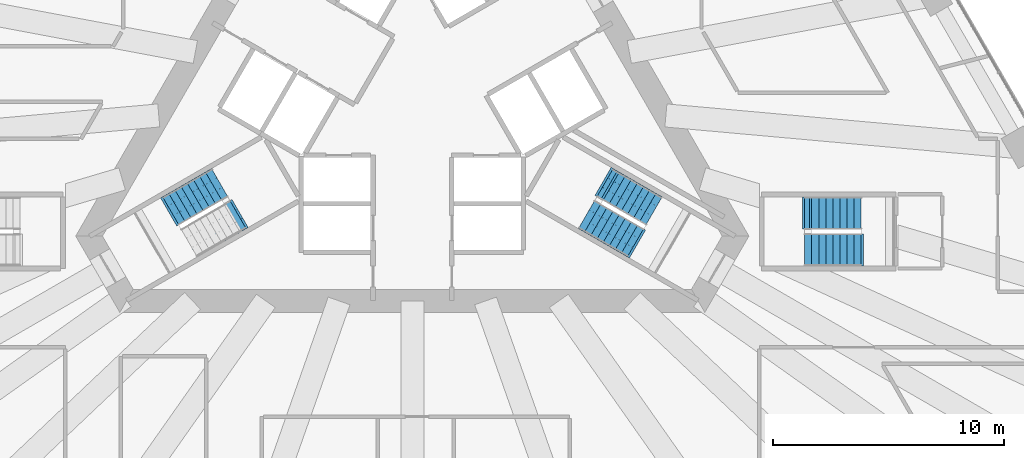
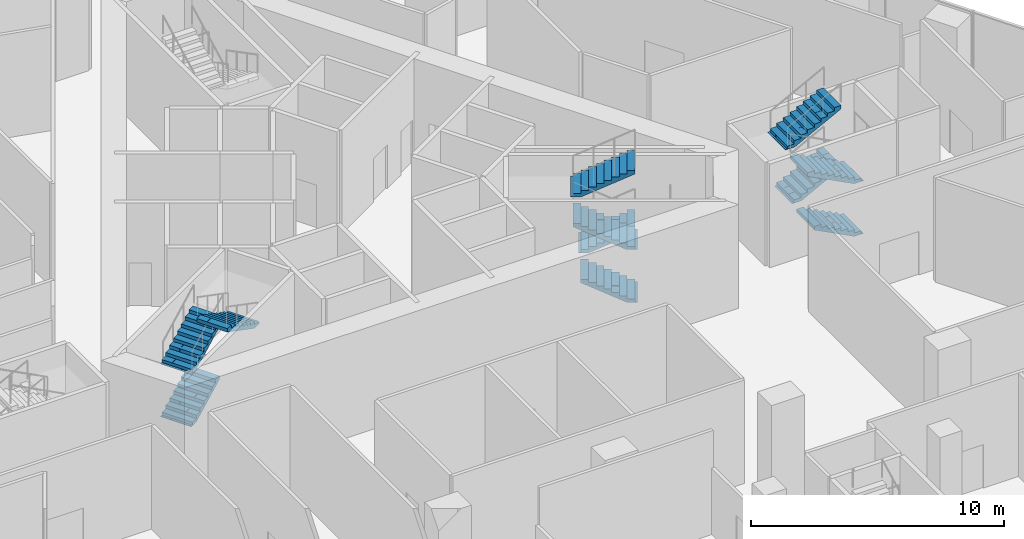
# One storey, part 28 of 32: 11 stair flights, 3 elements without a shape of their own.
"""IFC4 building model written with IfcOpenShell, lengths in metres."""

from ifc_helpers import new_model, si_unit, direction, frame, origin, place, context, subcontext, project, spatial, polyline, outline, extrude, material, type_object, element, aggregate, save


model = new_model("IFC4")

# Units and contexts
model_context = context("Model", 3, precision=1e-05, world=origin(), true_north=direction((0.0, 1.0)))
body_context = subcontext(model_context, "Body", "Model", "MODEL_VIEW")
ifc_project = project(units=[si_unit("LENGTHUNIT", "METRE"), si_unit("AREAUNIT", "SQUARE_METRE"), si_unit("VOLUMEUNIT", "CUBIC_METRE"), si_unit("PLANEANGLEUNIT", "RADIAN"), si_unit("MASSUNIT", "GRAM", prefix="KILO")], contexts=[model_context])

# Site, building, storey
site_placement = place(None, origin())
site = spatial("IfcSite", under=ifc_project, at=site_placement, CompositionType="ELEMENT")
building_placement = place(site_placement, origin())
building = spatial("IfcBuilding", under=site, at=building_placement, Name="Triada Interchange Tower", CompositionType="ELEMENT")
storey_placement = place(building_placement, frame((0.0, 0.0, 14.5)))
storey = spatial("IfcBuildingStorey", under=building, at=storey_placement, Name="L02", CompositionType="ELEMENT", Elevation=14.5)

# Stair, stair flights
ifc_material = material(Name="Concrete C35/45", Category="concrete")
stair_type = type_object("IfcStairType", Name="HALF TURN STAIR 1400", PredefinedType="HALF_TURN_STAIR", material=ifc_material)
stair_1_placement = place(storey_placement, origin())
stair_1 = element("IfcStair", 1, at=stair_1_placement, inside=storey, type_object=stair_type, Name="Exit stair S02-2", PredefinedType="HALF_TURN_STAIR")
stair_flight_type = type_object("IfcStairFlightType", Name="STRAIGHT STAIR FLIGHT 1400", PredefinedType="STRAIGHT", material=ifc_material)
stair_flight_1_placement = place(storey_placement, frame((-10.446044921875, -5.10693359375, 0.0), z_axis=(0.0, 0.0, 1.0), x_axis=(0.866025403784, 0.5, 0.0)))
stair_flight_1 = element("IfcStairFlight", 2, at=stair_flight_1_placement, type_object=stair_flight_type, Name="S02-2 flight 1", NumberOfRisers=8, NumberOfTreads=7, PredefinedType="STRAIGHT", RiserHeight=0.15882, TreadLength=0.305, context=body_context, shape_type="SweptSolid", body=[
    extrude(outline(polyline([(-0.10009765625, 0.0), (-0.10009765625, 0.02001953125), (0.0, 0.02001953125), (0.0, 0.158935546875), (0.304931640625, 0.158935546875), (0.304931640625, 0.317626953125), (0.610107421875, 0.317626953125), (0.610107421875, 0.4765625), (0.9150390625, 0.4765625), (0.9150390625, 0.63525390625), (1.219970703125, 0.63525390625), (1.219970703125, 0.794189453125), (1.52490234375, 0.794189453125), (1.52490234375, 0.952880859375), (1.830078125, 0.952880859375), (1.830078125, 1.11181640625), (2.135009765625, 1.11181640625), (2.138916015625, 1.11181640625), (2.138916015625, 1.2705078125), (2.138916015625, 0.942626953125), (0.324462890625, 0.0), (-0.10009765625, 0.0)])), frame((0.0, 0.699951171875, 0.0), z_axis=(0.0, -1.0, 0.0), x_axis=(1.0, 0.0, 0.0)), (0.0, 0.0, 1.0), 0.46533203125),
    extrude(outline(polyline([(-0.10009765625, 0.0), (-0.10009765625, 0.02001953125), (0.0, 0.02001953125), (0.0, 0.158935546875), (0.304931640625, 0.158935546875), (0.304931640625, 0.317626953125), (0.610107421875, 0.317626953125), (0.610107421875, 0.4765625), (0.9150390625, 0.4765625), (0.9150390625, 0.63525390625), (1.219970703125, 0.63525390625), (1.219970703125, 0.794189453125), (1.52490234375, 0.794189453125), (1.52490234375, 0.952880859375), (1.830078125, 0.952880859375), (1.830078125, 1.11181640625), (2.135009765625, 1.11181640625), (2.138916015625, 1.11181640625), (2.138916015625, 1.2705078125), (2.138916015625, 0.942626953125), (0.324462890625, 0.0), (-0.10009765625, 0.0)])), frame((0.0, 0.232666015625, 0.0), z_axis=(0.0, -1.0, 0.0), x_axis=(1.0, 0.0, 0.0)), (0.0, 0.0, 1.0), 0.46533203125),
    extrude(outline(polyline([(-0.10009765625, 0.0), (-0.10009765625, 0.02001953125), (0.0, 0.02001953125), (0.0, 0.158935546875), (0.304931640625, 0.158935546875), (0.304931640625, 0.317626953125), (0.610107421875, 0.317626953125), (0.610107421875, 0.4765625), (0.9150390625, 0.4765625), (0.9150390625, 0.63525390625), (1.219970703125, 0.63525390625), (1.219970703125, 0.794189453125), (1.52490234375, 0.794189453125), (1.52490234375, 0.952880859375), (1.830078125, 0.952880859375), (1.830078125, 1.11181640625), (2.135009765625, 1.11181640625), (2.138916015625, 1.11181640625), (2.138916015625, 1.2705078125), (2.138916015625, 0.942626953125), (0.324462890625, 0.0), (-0.10009765625, 0.0)])), frame((0.0, -0.234619140625, 0.0), z_axis=(0.0, -1.0, 0.0), x_axis=(1.0, 0.0, 0.0)), (0.0, 0.0, 1.0), 0.46533203125),
])
stair_flight_2_placement = place(storey_placement, frame((-10.446044921875, -5.10693359375, 2.541015625), z_axis=(0.0, 0.0, 1.0), x_axis=(0.866025403784, 0.5, 0.0)))
stair_flight_2 = element("IfcStairFlight", 3, at=stair_flight_2_placement, type_object=stair_flight_type, Name="S02-2 flight 3", NumberOfRisers=9, NumberOfTreads=8, PredefinedType="STRAIGHT", RiserHeight=0.15882, TreadLength=0.305, context=body_context, shape_type="SweptSolid", body=[
    extrude(outline(polyline([(-0.10009765625, 0.0), (-0.10009765625, 0.02001953125), (0.0, 0.02001953125), (0.0, 0.158935546875), (0.304931640625, 0.158935546875), (0.304931640625, 0.317626953125), (0.610107421875, 0.317626953125), (0.610107421875, 0.4765625), (0.9150390625, 0.4765625), (0.9150390625, 0.63525390625), (1.219970703125, 0.63525390625), (1.219970703125, 0.794189453125), (1.52490234375, 0.794189453125), (1.52490234375, 0.952880859375), (1.830078125, 0.952880859375), (1.830078125, 1.11181640625), (2.135009765625, 1.11181640625), (2.135009765625, 1.2705078125), (2.43994140625, 1.2705078125), (2.444091796875, 1.2705078125), (2.444091796875, 1.429443359375), (2.444091796875, 1.1015625), (0.324462890625, 0.0), (-0.10009765625, 0.0)])), frame((0.0, 0.699951171875, 0.0), z_axis=(0.0, -1.0, 0.0), x_axis=(1.0, 0.0, 0.0)), (0.0, 0.0, 1.0), 0.46533203125),
    extrude(outline(polyline([(-0.10009765625, 0.0), (-0.10009765625, 0.02001953125), (0.0, 0.02001953125), (0.0, 0.158935546875), (0.304931640625, 0.158935546875), (0.304931640625, 0.317626953125), (0.610107421875, 0.317626953125), (0.610107421875, 0.4765625), (0.9150390625, 0.4765625), (0.9150390625, 0.63525390625), (1.219970703125, 0.63525390625), (1.219970703125, 0.794189453125), (1.52490234375, 0.794189453125), (1.52490234375, 0.952880859375), (1.830078125, 0.952880859375), (1.830078125, 1.11181640625), (2.135009765625, 1.11181640625), (2.135009765625, 1.2705078125), (2.43994140625, 1.2705078125), (2.444091796875, 1.2705078125), (2.444091796875, 1.429443359375), (2.444091796875, 1.1015625), (0.324462890625, 0.0), (-0.10009765625, 0.0)])), frame((0.0, 0.232666015625, 0.0), z_axis=(0.0, -1.0, 0.0), x_axis=(1.0, 0.0, 0.0)), (0.0, 0.0, 1.0), 0.46533203125),
    extrude(outline(polyline([(-0.10009765625, 0.0), (-0.10009765625, 0.02001953125), (0.0, 0.02001953125), (0.0, 0.158935546875), (0.304931640625, 0.158935546875), (0.304931640625, 0.317626953125), (0.610107421875, 0.317626953125), (0.610107421875, 0.4765625), (0.9150390625, 0.4765625), (0.9150390625, 0.63525390625), (1.219970703125, 0.63525390625), (1.219970703125, 0.794189453125), (1.52490234375, 0.794189453125), (1.52490234375, 0.952880859375), (1.830078125, 0.952880859375), (1.830078125, 1.11181640625), (2.135009765625, 1.11181640625), (2.135009765625, 1.2705078125), (2.43994140625, 1.2705078125), (2.444091796875, 1.2705078125), (2.444091796875, 1.429443359375), (2.444091796875, 1.1015625), (0.324462890625, 0.0), (-0.10009765625, 0.0)])), frame((0.0, -0.234619140625, 0.0), z_axis=(0.0, -1.0, 0.0), x_axis=(1.0, 0.0, 0.0)), (0.0, 0.0, 1.0), 0.46533203125),
])
stair_flight_3_placement = place(storey_placement, frame((-7.532958984375, -5.27294921875, 3.970458984375), z_axis=(0.0, 0.0, 1.0), x_axis=(-0.866025403784, -0.5, 0.0)))
stair_flight_3 = element("IfcStairFlight", 4, at=stair_flight_3_placement, type_object=stair_flight_type, Name="S02-2 flight 4", NumberOfRisers=9, NumberOfTreads=8, PredefinedType="STRAIGHT", RiserHeight=0.15882, TreadLength=0.305, context=body_context, shape_type="SweptSolid", body=[
    extrude(outline(polyline([(-0.10009765625, 0.0), (-0.10009765625, 0.02001953125), (0.0, 0.02001953125), (0.0, 0.158935546875), (0.304931640625, 0.158935546875), (0.304931640625, 0.317626953125), (0.610107421875, 0.317626953125), (0.610107421875, 0.4765625), (0.9150390625, 0.4765625), (0.9150390625, 0.63525390625), (1.219970703125, 0.63525390625), (1.219970703125, 0.794189453125), (1.52490234375, 0.794189453125), (1.52490234375, 0.952880859375), (1.830078125, 0.952880859375), (1.830078125, 1.11181640625), (2.135009765625, 1.11181640625), (2.135009765625, 1.2705078125), (2.43994140625, 1.2705078125), (2.444091796875, 1.2705078125), (2.444091796875, 1.429443359375), (2.444091796875, 1.1015625), (0.324462890625, 0.0), (-0.10009765625, 0.0)])), frame((0.0, 0.699951171875, 0.0), z_axis=(0.0, -1.0, 0.0), x_axis=(1.0, 0.0, 0.0)), (0.0, 0.0, 1.0), 0.46533203125),
    extrude(outline(polyline([(-0.10009765625, 0.0), (-0.10009765625, 0.02001953125), (0.0, 0.02001953125), (0.0, 0.158935546875), (0.304931640625, 0.158935546875), (0.304931640625, 0.317626953125), (0.610107421875, 0.317626953125), (0.610107421875, 0.4765625), (0.9150390625, 0.4765625), (0.9150390625, 0.63525390625), (1.219970703125, 0.63525390625), (1.219970703125, 0.794189453125), (1.52490234375, 0.794189453125), (1.52490234375, 0.952880859375), (1.830078125, 0.952880859375), (1.830078125, 1.11181640625), (2.135009765625, 1.11181640625), (2.135009765625, 1.2705078125), (2.43994140625, 1.2705078125), (2.444091796875, 1.2705078125), (2.444091796875, 1.429443359375), (2.444091796875, 1.1015625), (0.324462890625, 0.0), (-0.10009765625, 0.0)])), frame((0.0, 0.232666015625, 0.0), z_axis=(0.0, -1.0, 0.0), x_axis=(1.0, 0.0, 0.0)), (0.0, 0.0, 1.0), 0.46533203125),
    extrude(outline(polyline([(-0.10009765625, 0.0), (-0.10009765625, 0.02001953125), (0.0, 0.02001953125), (0.0, 0.158935546875), (0.304931640625, 0.158935546875), (0.304931640625, 0.317626953125), (0.610107421875, 0.317626953125), (0.610107421875, 0.4765625), (0.9150390625, 0.4765625), (0.9150390625, 0.63525390625), (1.219970703125, 0.63525390625), (1.219970703125, 0.794189453125), (1.52490234375, 0.794189453125), (1.52490234375, 0.952880859375), (1.830078125, 0.952880859375), (1.830078125, 1.11181640625), (2.135009765625, 1.11181640625), (2.135009765625, 1.2705078125), (2.43994140625, 1.2705078125), (2.444091796875, 1.2705078125), (2.444091796875, 1.429443359375), (2.444091796875, 1.1015625), (0.324462890625, 0.0), (-0.10009765625, 0.0)])), frame((0.0, -0.234619140625, 0.0), z_axis=(0.0, -1.0, 0.0), x_axis=(1.0, 0.0, 0.0)), (0.0, 0.0, 1.0), 0.46533203125),
])
aggregate(stair_1, [stair_flight_1, stair_flight_2, stair_flight_3])

stair_2_placement = place(storey_placement, origin())
stair_2 = element("IfcStair", 5, at=stair_2_placement, inside=storey, type_object=stair_type, Name="Exit stair S02-3", PredefinedType="HALF_TURN_STAIR")
stair_flight_4_placement = place(storey_placement, frame((9.64599609375, -6.492919921875, 0.0), z_axis=(0.0, 0.0, 1.0), x_axis=(-0.866025403784, 0.5, 0.0)))
stair_flight_4 = element("IfcStairFlight", 6, at=stair_flight_4_placement, type_object=stair_flight_type, Name="S02-3 flight 1", NumberOfRisers=8, NumberOfTreads=7, PredefinedType="STRAIGHT", RiserHeight=0.15882, TreadLength=0.305, context=body_context, shape_type="SweptSolid", body=[
    extrude(outline(polyline([(-0.10009765625, 0.0), (-0.10009765625, 0.02001953125), (0.0, 0.02001953125), (0.0, 0.158935546875), (0.304931640625, 0.158935546875), (0.304931640625, 0.317626953125), (0.610107421875, 0.317626953125), (0.610107421875, 0.4765625), (0.9150390625, 0.4765625), (0.9150390625, 0.63525390625), (1.219970703125, 0.63525390625), (1.219970703125, 0.794189453125), (1.52490234375, 0.794189453125), (1.52490234375, 0.952880859375), (1.830078125, 0.952880859375), (1.830078125, 1.11181640625), (2.135009765625, 1.11181640625), (2.138916015625, 1.11181640625), (2.138916015625, 1.2705078125), (2.138916015625, 0.942626953125), (0.324462890625, 0.0), (-0.10009765625, 0.0)])), frame((0.0, 0.699951171875, 0.0), z_axis=(0.0, -1.0, 0.0), x_axis=(1.0, 0.0, 0.0)), (0.0, 0.0, 1.0), 0.46533203125),
    extrude(outline(polyline([(-0.10009765625, 0.0), (-0.10009765625, 0.02001953125), (0.0, 0.02001953125), (0.0, 0.158935546875), (0.304931640625, 0.158935546875), (0.304931640625, 0.317626953125), (0.610107421875, 0.317626953125), (0.610107421875, 0.4765625), (0.9150390625, 0.4765625), (0.9150390625, 0.63525390625), (1.219970703125, 0.63525390625), (1.219970703125, 0.794189453125), (1.52490234375, 0.794189453125), (1.52490234375, 0.952880859375), (1.830078125, 0.952880859375), (1.830078125, 1.11181640625), (2.135009765625, 1.11181640625), (2.138916015625, 1.11181640625), (2.138916015625, 1.2705078125), (2.138916015625, 0.942626953125), (0.324462890625, 0.0), (-0.10009765625, 0.0)])), frame((0.0, 0.232666015625, 0.0), z_axis=(0.0, -1.0, 0.0), x_axis=(1.0, 0.0, 0.0)), (0.0, 0.0, 1.0), 0.46533203125),
    extrude(outline(polyline([(-0.10009765625, 0.0), (-0.10009765625, 0.02001953125), (0.0, 0.02001953125), (0.0, 0.158935546875), (0.304931640625, 0.158935546875), (0.304931640625, 0.317626953125), (0.610107421875, 0.317626953125), (0.610107421875, 0.4765625), (0.9150390625, 0.4765625), (0.9150390625, 0.63525390625), (1.219970703125, 0.63525390625), (1.219970703125, 0.794189453125), (1.52490234375, 0.794189453125), (1.52490234375, 0.952880859375), (1.830078125, 0.952880859375), (1.830078125, 1.11181640625), (2.135009765625, 1.11181640625), (2.138916015625, 1.11181640625), (2.138916015625, 1.2705078125), (2.138916015625, 0.942626953125), (0.324462890625, 0.0), (-0.10009765625, 0.0)])), frame((0.0, -0.234619140625, 0.0), z_axis=(0.0, -1.0, 0.0), x_axis=(1.0, 0.0, 0.0)), (0.0, 0.0, 1.0), 0.46533203125),
])
stair_flight_5_placement = place(storey_placement, frame((8.596923828125, -4.0400390625, 1.2705078125), z_axis=(0.0, 0.0, 1.0), x_axis=(0.866025403784, -0.5, 0.0)))
stair_flight_5 = element("IfcStairFlight", 7, at=stair_flight_5_placement, type_object=stair_flight_type, Name="S02-3 flight 2", NumberOfRisers=8, NumberOfTreads=7, PredefinedType="STRAIGHT", RiserHeight=0.15882, TreadLength=0.305, context=body_context, shape_type="SweptSolid", body=[
    extrude(outline(polyline([(-0.10009765625, 0.0), (-0.10009765625, 0.02001953125), (0.0, 0.02001953125), (0.0, 0.158935546875), (0.304931640625, 0.158935546875), (0.304931640625, 0.317626953125), (0.610107421875, 0.317626953125), (0.610107421875, 0.4765625), (0.9150390625, 0.4765625), (0.9150390625, 0.63525390625), (1.219970703125, 0.63525390625), (1.219970703125, 0.794189453125), (1.52490234375, 0.794189453125), (1.52490234375, 0.952880859375), (1.830078125, 0.952880859375), (1.830078125, 1.11181640625), (2.135009765625, 1.11181640625), (2.138916015625, 1.11181640625), (2.138916015625, 1.2705078125), (2.138916015625, 0.942626953125), (0.324462890625, 0.0), (-0.10009765625, 0.0)])), frame((0.0, 0.699951171875, 0.0), z_axis=(0.0, -1.0, 0.0), x_axis=(1.0, 0.0, 0.0)), (0.0, 0.0, 1.0), 0.46533203125),
    extrude(outline(polyline([(-0.10009765625, 0.0), (-0.10009765625, 0.02001953125), (0.0, 0.02001953125), (0.0, 0.158935546875), (0.304931640625, 0.158935546875), (0.304931640625, 0.317626953125), (0.610107421875, 0.317626953125), (0.610107421875, 0.4765625), (0.9150390625, 0.4765625), (0.9150390625, 0.63525390625), (1.219970703125, 0.63525390625), (1.219970703125, 0.794189453125), (1.52490234375, 0.794189453125), (1.52490234375, 0.952880859375), (1.830078125, 0.952880859375), (1.830078125, 1.11181640625), (2.135009765625, 1.11181640625), (2.138916015625, 1.11181640625), (2.138916015625, 1.2705078125), (2.138916015625, 0.942626953125), (0.324462890625, 0.0), (-0.10009765625, 0.0)])), frame((0.0, 0.232666015625, 0.0), z_axis=(0.0, -1.0, 0.0), x_axis=(1.0, 0.0, 0.0)), (0.0, 0.0, 1.0), 0.46533203125),
    extrude(outline(polyline([(-0.10009765625, 0.0), (-0.10009765625, 0.02001953125), (0.0, 0.02001953125), (0.0, 0.158935546875), (0.304931640625, 0.158935546875), (0.304931640625, 0.317626953125), (0.610107421875, 0.317626953125), (0.610107421875, 0.4765625), (0.9150390625, 0.4765625), (0.9150390625, 0.63525390625), (1.219970703125, 0.63525390625), (1.219970703125, 0.794189453125), (1.52490234375, 0.794189453125), (1.52490234375, 0.952880859375), (1.830078125, 0.952880859375), (1.830078125, 1.11181640625), (2.135009765625, 1.11181640625), (2.138916015625, 1.11181640625), (2.138916015625, 1.2705078125), (2.138916015625, 0.942626953125), (0.324462890625, 0.0), (-0.10009765625, 0.0)])), frame((0.0, -0.234619140625, 0.0), z_axis=(0.0, -1.0, 0.0), x_axis=(1.0, 0.0, 0.0)), (0.0, 0.0, 1.0), 0.46533203125),
])
stair_flight_6_placement = place(storey_placement, frame((9.64599609375, -6.492919921875, 2.541015625), z_axis=(0.0, 0.0, 1.0), x_axis=(-0.866025403784, 0.5, 0.0)))
stair_flight_6 = element("IfcStairFlight", 8, at=stair_flight_6_placement, type_object=stair_flight_type, Name="S02-3 flight 3", NumberOfRisers=9, NumberOfTreads=8, PredefinedType="STRAIGHT", RiserHeight=0.15882, TreadLength=0.305, context=body_context, shape_type="SweptSolid", body=[
    extrude(outline(polyline([(-0.10009765625, 0.0), (-0.10009765625, 0.02001953125), (0.0, 0.02001953125), (0.0, 0.158935546875), (0.304931640625, 0.158935546875), (0.304931640625, 0.317626953125), (0.610107421875, 0.317626953125), (0.610107421875, 0.4765625), (0.9150390625, 0.4765625), (0.9150390625, 0.63525390625), (1.219970703125, 0.63525390625), (1.219970703125, 0.794189453125), (1.52490234375, 0.794189453125), (1.52490234375, 0.952880859375), (1.830078125, 0.952880859375), (1.830078125, 1.11181640625), (2.135009765625, 1.11181640625), (2.135009765625, 1.2705078125), (2.43994140625, 1.2705078125), (2.444091796875, 1.2705078125), (2.444091796875, 1.429443359375), (2.444091796875, 1.1015625), (0.324462890625, 0.0), (-0.10009765625, 0.0)])), frame((0.0, 0.699951171875, 0.0), z_axis=(0.0, -1.0, 0.0), x_axis=(1.0, 0.0, 0.0)), (0.0, 0.0, 1.0), 0.46533203125),
    extrude(outline(polyline([(-0.10009765625, 0.0), (-0.10009765625, 0.02001953125), (0.0, 0.02001953125), (0.0, 0.158935546875), (0.304931640625, 0.158935546875), (0.304931640625, 0.317626953125), (0.610107421875, 0.317626953125), (0.610107421875, 0.4765625), (0.9150390625, 0.4765625), (0.9150390625, 0.63525390625), (1.219970703125, 0.63525390625), (1.219970703125, 0.794189453125), (1.52490234375, 0.794189453125), (1.52490234375, 0.952880859375), (1.830078125, 0.952880859375), (1.830078125, 1.11181640625), (2.135009765625, 1.11181640625), (2.135009765625, 1.2705078125), (2.43994140625, 1.2705078125), (2.444091796875, 1.2705078125), (2.444091796875, 1.429443359375), (2.444091796875, 1.1015625), (0.324462890625, 0.0), (-0.10009765625, 0.0)])), frame((0.0, 0.232666015625, 0.0), z_axis=(0.0, -1.0, 0.0), x_axis=(1.0, 0.0, 0.0)), (0.0, 0.0, 1.0), 0.46533203125),
    extrude(outline(polyline([(-0.10009765625, 0.0), (-0.10009765625, 0.02001953125), (0.0, 0.02001953125), (0.0, 0.158935546875), (0.304931640625, 0.158935546875), (0.304931640625, 0.317626953125), (0.610107421875, 0.317626953125), (0.610107421875, 0.4765625), (0.9150390625, 0.4765625), (0.9150390625, 0.63525390625), (1.219970703125, 0.63525390625), (1.219970703125, 0.794189453125), (1.52490234375, 0.794189453125), (1.52490234375, 0.952880859375), (1.830078125, 0.952880859375), (1.830078125, 1.11181640625), (2.135009765625, 1.11181640625), (2.135009765625, 1.2705078125), (2.43994140625, 1.2705078125), (2.444091796875, 1.2705078125), (2.444091796875, 1.429443359375), (2.444091796875, 1.1015625), (0.324462890625, 0.0), (-0.10009765625, 0.0)])), frame((0.0, -0.234619140625, 0.0), z_axis=(0.0, -1.0, 0.0), x_axis=(1.0, 0.0, 0.0)), (0.0, 0.0, 1.0), 0.46533203125),
])
stair_flight_7_placement = place(storey_placement, frame((8.3330078125, -3.886962890625, 3.970458984375), z_axis=(0.0, 0.0, 1.0), x_axis=(0.866025403784, -0.5, 0.0)))
stair_flight_7 = element("IfcStairFlight", 9, at=stair_flight_7_placement, type_object=stair_flight_type, Name="S02-3 flight 4", NumberOfRisers=9, NumberOfTreads=8, PredefinedType="STRAIGHT", RiserHeight=0.15882, TreadLength=0.305, context=body_context, shape_type="SweptSolid", body=[
    extrude(outline(polyline([(-0.10009765625, 0.0), (-0.10009765625, 0.02001953125), (0.0, 0.02001953125), (0.0, 0.158935546875), (0.304931640625, 0.158935546875), (0.304931640625, 0.317626953125), (0.610107421875, 0.317626953125), (0.610107421875, 0.4765625), (0.9150390625, 0.4765625), (0.9150390625, 0.63525390625), (1.219970703125, 0.63525390625), (1.219970703125, 0.794189453125), (1.52490234375, 0.794189453125), (1.52490234375, 0.952880859375), (1.830078125, 0.952880859375), (1.830078125, 1.11181640625), (2.135009765625, 1.11181640625), (2.135009765625, 1.2705078125), (2.43994140625, 1.2705078125), (2.444091796875, 1.2705078125), (2.444091796875, 1.429443359375), (2.444091796875, 1.1015625), (0.324462890625, 0.0), (-0.10009765625, 0.0)])), frame((0.0, 0.699951171875, 0.0), z_axis=(0.0, -1.0, 0.0), x_axis=(1.0, 0.0, 0.0)), (0.0, 0.0, 1.0), 0.46533203125),
    extrude(outline(polyline([(-0.10009765625, 0.0), (-0.10009765625, 0.02001953125), (0.0, 0.02001953125), (0.0, 0.158935546875), (0.304931640625, 0.158935546875), (0.304931640625, 0.317626953125), (0.610107421875, 0.317626953125), (0.610107421875, 0.4765625), (0.9150390625, 0.4765625), (0.9150390625, 0.63525390625), (1.219970703125, 0.63525390625), (1.219970703125, 0.794189453125), (1.52490234375, 0.794189453125), (1.52490234375, 0.952880859375), (1.830078125, 0.952880859375), (1.830078125, 1.11181640625), (2.135009765625, 1.11181640625), (2.135009765625, 1.2705078125), (2.43994140625, 1.2705078125), (2.444091796875, 1.2705078125), (2.444091796875, 1.429443359375), (2.444091796875, 1.1015625), (0.324462890625, 0.0), (-0.10009765625, 0.0)])), frame((0.0, 0.232666015625, 0.0), z_axis=(0.0, -1.0, 0.0), x_axis=(1.0, 0.0, 0.0)), (0.0, 0.0, 1.0), 0.46533203125),
    extrude(outline(polyline([(-0.10009765625, 0.0), (-0.10009765625, 0.02001953125), (0.0, 0.02001953125), (0.0, 0.158935546875), (0.304931640625, 0.158935546875), (0.304931640625, 0.317626953125), (0.610107421875, 0.317626953125), (0.610107421875, 0.4765625), (0.9150390625, 0.4765625), (0.9150390625, 0.63525390625), (1.219970703125, 0.63525390625), (1.219970703125, 0.794189453125), (1.52490234375, 0.794189453125), (1.52490234375, 0.952880859375), (1.830078125, 0.952880859375), (1.830078125, 1.11181640625), (2.135009765625, 1.11181640625), (2.135009765625, 1.2705078125), (2.43994140625, 1.2705078125), (2.444091796875, 1.2705078125), (2.444091796875, 1.429443359375), (2.444091796875, 1.1015625), (0.324462890625, 0.0), (-0.10009765625, 0.0)])), frame((0.0, -0.234619140625, 0.0), z_axis=(0.0, -1.0, 0.0), x_axis=(1.0, 0.0, 0.0)), (0.0, 0.0, 1.0), 0.46533203125),
])
aggregate(stair_2, [stair_flight_4, stair_flight_5, stair_flight_6, stair_flight_7])

stair_3_placement = place(storey_placement, origin())
stair_3 = element("IfcStair", 10, at=stair_3_placement, inside=storey, type_object=stair_type, Name="Exit stair S02-7", PredefinedType="HALF_TURN_STAIR")
stair_flight_8_placement = place(storey_placement, frame((19.39990234375, -6.800048828125, 0.0), z_axis=(0.0, 0.0, 1.0), x_axis=(-1.0, 0.0, 0.0)))
stair_flight_8 = element("IfcStairFlight", 11, at=stair_flight_8_placement, type_object=stair_flight_type, Name="S02-7 flight 1", NumberOfRisers=8, NumberOfTreads=7, PredefinedType="STRAIGHT", RiserHeight=0.15882, TreadLength=0.305, context=body_context, shape_type="SweptSolid", body=[
    extrude(outline(polyline([(-0.10009765625, 0.0), (-0.10009765625, 0.02001953125), (0.0, 0.02001953125), (0.0, 0.158935546875), (0.304931640625, 0.158935546875), (0.304931640625, 0.317626953125), (0.610107421875, 0.317626953125), (0.610107421875, 0.4765625), (0.9150390625, 0.4765625), (0.9150390625, 0.63525390625), (1.219970703125, 0.63525390625), (1.219970703125, 0.794189453125), (1.52490234375, 0.794189453125), (1.52490234375, 0.952880859375), (1.830078125, 0.952880859375), (1.830078125, 1.11181640625), (2.135009765625, 1.11181640625), (2.138916015625, 1.11181640625), (2.138916015625, 1.2705078125), (2.138916015625, 0.942626953125), (0.324462890625, 0.0), (-0.10009765625, 0.0)])), frame((0.0, 0.699951171875, 0.0), z_axis=(0.0, -1.0, 0.0), x_axis=(1.0, 0.0, 0.0)), (0.0, 0.0, 1.0), 0.46533203125),
    extrude(outline(polyline([(-0.10009765625, 0.0), (-0.10009765625, 0.02001953125), (0.0, 0.02001953125), (0.0, 0.158935546875), (0.304931640625, 0.158935546875), (0.304931640625, 0.317626953125), (0.610107421875, 0.317626953125), (0.610107421875, 0.4765625), (0.9150390625, 0.4765625), (0.9150390625, 0.63525390625), (1.219970703125, 0.63525390625), (1.219970703125, 0.794189453125), (1.52490234375, 0.794189453125), (1.52490234375, 0.952880859375), (1.830078125, 0.952880859375), (1.830078125, 1.11181640625), (2.135009765625, 1.11181640625), (2.138916015625, 1.11181640625), (2.138916015625, 1.2705078125), (2.138916015625, 0.942626953125), (0.324462890625, 0.0), (-0.10009765625, 0.0)])), frame((0.0, 0.232666015625, 0.0), z_axis=(0.0, -1.0, 0.0), x_axis=(1.0, 0.0, 0.0)), (0.0, 0.0, 1.0), 0.46533203125),
    extrude(outline(polyline([(-0.10009765625, 0.0), (-0.10009765625, 0.02001953125), (0.0, 0.02001953125), (0.0, 0.158935546875), (0.304931640625, 0.158935546875), (0.304931640625, 0.317626953125), (0.610107421875, 0.317626953125), (0.610107421875, 0.4765625), (0.9150390625, 0.4765625), (0.9150390625, 0.63525390625), (1.219970703125, 0.63525390625), (1.219970703125, 0.794189453125), (1.52490234375, 0.794189453125), (1.52490234375, 0.952880859375), (1.830078125, 0.952880859375), (1.830078125, 1.11181640625), (2.135009765625, 1.11181640625), (2.138916015625, 1.11181640625), (2.138916015625, 1.2705078125), (2.138916015625, 0.942626953125), (0.324462890625, 0.0), (-0.10009765625, 0.0)])), frame((0.0, -0.234619140625, 0.0), z_axis=(0.0, -1.0, 0.0), x_axis=(1.0, 0.0, 0.0)), (0.0, 0.0, 1.0), 0.46533203125),
])
stair_flight_9_placement = place(storey_placement, frame((17.264892578125, -5.199951171875, 1.2705078125), z_axis=(0.0, 0.0, 1.0), x_axis=(1.0, 0.0, 0.0)))
stair_flight_9 = element("IfcStairFlight", 12, at=stair_flight_9_placement, type_object=stair_flight_type, Name="S02-7 flight 2", NumberOfRisers=8, NumberOfTreads=7, PredefinedType="STRAIGHT", RiserHeight=0.15882, TreadLength=0.305, context=body_context, shape_type="SweptSolid", body=[
    extrude(outline(polyline([(-0.10009765625, 0.0), (-0.10009765625, 0.02001953125), (0.0, 0.02001953125), (0.0, 0.158935546875), (0.304931640625, 0.158935546875), (0.304931640625, 0.317626953125), (0.610107421875, 0.317626953125), (0.610107421875, 0.4765625), (0.9150390625, 0.4765625), (0.9150390625, 0.63525390625), (1.219970703125, 0.63525390625), (1.219970703125, 0.794189453125), (1.52490234375, 0.794189453125), (1.52490234375, 0.952880859375), (1.830078125, 0.952880859375), (1.830078125, 1.11181640625), (2.135009765625, 1.11181640625), (2.138916015625, 1.11181640625), (2.138916015625, 1.2705078125), (2.138916015625, 0.942626953125), (0.324462890625, 0.0), (-0.10009765625, 0.0)])), frame((0.0, 0.699951171875, 0.0), z_axis=(0.0, -1.0, 0.0), x_axis=(1.0, 0.0, 0.0)), (0.0, 0.0, 1.0), 0.46533203125),
    extrude(outline(polyline([(-0.10009765625, 0.0), (-0.10009765625, 0.02001953125), (0.0, 0.02001953125), (0.0, 0.158935546875), (0.304931640625, 0.158935546875), (0.304931640625, 0.317626953125), (0.610107421875, 0.317626953125), (0.610107421875, 0.4765625), (0.9150390625, 0.4765625), (0.9150390625, 0.63525390625), (1.219970703125, 0.63525390625), (1.219970703125, 0.794189453125), (1.52490234375, 0.794189453125), (1.52490234375, 0.952880859375), (1.830078125, 0.952880859375), (1.830078125, 1.11181640625), (2.135009765625, 1.11181640625), (2.138916015625, 1.11181640625), (2.138916015625, 1.2705078125), (2.138916015625, 0.942626953125), (0.324462890625, 0.0), (-0.10009765625, 0.0)])), frame((0.0, 0.232666015625, 0.0), z_axis=(0.0, -1.0, 0.0), x_axis=(1.0, 0.0, 0.0)), (0.0, 0.0, 1.0), 0.46533203125),
    extrude(outline(polyline([(-0.10009765625, 0.0), (-0.10009765625, 0.02001953125), (0.0, 0.02001953125), (0.0, 0.158935546875), (0.304931640625, 0.158935546875), (0.304931640625, 0.317626953125), (0.610107421875, 0.317626953125), (0.610107421875, 0.4765625), (0.9150390625, 0.4765625), (0.9150390625, 0.63525390625), (1.219970703125, 0.63525390625), (1.219970703125, 0.794189453125), (1.52490234375, 0.794189453125), (1.52490234375, 0.952880859375), (1.830078125, 0.952880859375), (1.830078125, 1.11181640625), (2.135009765625, 1.11181640625), (2.138916015625, 1.11181640625), (2.138916015625, 1.2705078125), (2.138916015625, 0.942626953125), (0.324462890625, 0.0), (-0.10009765625, 0.0)])), frame((0.0, -0.234619140625, 0.0), z_axis=(0.0, -1.0, 0.0), x_axis=(1.0, 0.0, 0.0)), (0.0, 0.0, 1.0), 0.46533203125),
])
stair_flight_10_placement = place(storey_placement, frame((19.39990234375, -6.800048828125, 2.541015625), z_axis=(0.0, 0.0, 1.0), x_axis=(-1.0, 0.0, 0.0)))
stair_flight_10 = element("IfcStairFlight", 13, at=stair_flight_10_placement, type_object=stair_flight_type, Name="S02-7 flight 3", NumberOfRisers=9, NumberOfTreads=8, PredefinedType="STRAIGHT", RiserHeight=0.15882, TreadLength=0.305, context=body_context, shape_type="SweptSolid", body=[
    extrude(outline(polyline([(-0.10009765625, 0.0), (-0.10009765625, 0.02001953125), (0.0, 0.02001953125), (0.0, 0.158935546875), (0.304931640625, 0.158935546875), (0.304931640625, 0.317626953125), (0.610107421875, 0.317626953125), (0.610107421875, 0.4765625), (0.9150390625, 0.4765625), (0.9150390625, 0.63525390625), (1.219970703125, 0.63525390625), (1.219970703125, 0.794189453125), (1.52490234375, 0.794189453125), (1.52490234375, 0.952880859375), (1.830078125, 0.952880859375), (1.830078125, 1.11181640625), (2.135009765625, 1.11181640625), (2.135009765625, 1.2705078125), (2.43994140625, 1.2705078125), (2.444091796875, 1.2705078125), (2.444091796875, 1.429443359375), (2.444091796875, 1.1015625), (0.324462890625, 0.0), (-0.10009765625, 0.0)])), frame((0.0, 0.699951171875, 0.0), z_axis=(0.0, -1.0, 0.0), x_axis=(1.0, 0.0, 0.0)), (0.0, 0.0, 1.0), 0.46533203125),
    extrude(outline(polyline([(-0.10009765625, 0.0), (-0.10009765625, 0.02001953125), (0.0, 0.02001953125), (0.0, 0.158935546875), (0.304931640625, 0.158935546875), (0.304931640625, 0.317626953125), (0.610107421875, 0.317626953125), (0.610107421875, 0.4765625), (0.9150390625, 0.4765625), (0.9150390625, 0.63525390625), (1.219970703125, 0.63525390625), (1.219970703125, 0.794189453125), (1.52490234375, 0.794189453125), (1.52490234375, 0.952880859375), (1.830078125, 0.952880859375), (1.830078125, 1.11181640625), (2.135009765625, 1.11181640625), (2.135009765625, 1.2705078125), (2.43994140625, 1.2705078125), (2.444091796875, 1.2705078125), (2.444091796875, 1.429443359375), (2.444091796875, 1.1015625), (0.324462890625, 0.0), (-0.10009765625, 0.0)])), frame((0.0, 0.232666015625, 0.0), z_axis=(0.0, -1.0, 0.0), x_axis=(1.0, 0.0, 0.0)), (0.0, 0.0, 1.0), 0.46533203125),
    extrude(outline(polyline([(-0.10009765625, 0.0), (-0.10009765625, 0.02001953125), (0.0, 0.02001953125), (0.0, 0.158935546875), (0.304931640625, 0.158935546875), (0.304931640625, 0.317626953125), (0.610107421875, 0.317626953125), (0.610107421875, 0.4765625), (0.9150390625, 0.4765625), (0.9150390625, 0.63525390625), (1.219970703125, 0.63525390625), (1.219970703125, 0.794189453125), (1.52490234375, 0.794189453125), (1.52490234375, 0.952880859375), (1.830078125, 0.952880859375), (1.830078125, 1.11181640625), (2.135009765625, 1.11181640625), (2.135009765625, 1.2705078125), (2.43994140625, 1.2705078125), (2.444091796875, 1.2705078125), (2.444091796875, 1.429443359375), (2.444091796875, 1.1015625), (0.324462890625, 0.0), (-0.10009765625, 0.0)])), frame((0.0, -0.234619140625, 0.0), z_axis=(0.0, -1.0, 0.0), x_axis=(1.0, 0.0, 0.0)), (0.0, 0.0, 1.0), 0.46533203125),
])
stair_flight_11_placement = place(storey_placement, frame((16.9599609375, -5.199951171875, 3.970458984375), z_axis=(0.0, 0.0, 1.0), x_axis=(1.0, 0.0, 0.0)))
stair_flight_11 = element("IfcStairFlight", 14, at=stair_flight_11_placement, type_object=stair_flight_type, Name="S02-7 flight 4", NumberOfRisers=9, NumberOfTreads=8, PredefinedType="STRAIGHT", RiserHeight=0.15882, TreadLength=0.305, context=body_context, shape_type="SweptSolid", body=[
    extrude(outline(polyline([(-0.10009765625, 0.0), (-0.10009765625, 0.02001953125), (0.0, 0.02001953125), (0.0, 0.158935546875), (0.304931640625, 0.158935546875), (0.304931640625, 0.317626953125), (0.610107421875, 0.317626953125), (0.610107421875, 0.4765625), (0.9150390625, 0.4765625), (0.9150390625, 0.63525390625), (1.219970703125, 0.63525390625), (1.219970703125, 0.794189453125), (1.52490234375, 0.794189453125), (1.52490234375, 0.952880859375), (1.830078125, 0.952880859375), (1.830078125, 1.11181640625), (2.135009765625, 1.11181640625), (2.135009765625, 1.2705078125), (2.43994140625, 1.2705078125), (2.444091796875, 1.2705078125), (2.444091796875, 1.429443359375), (2.444091796875, 1.1015625), (0.324462890625, 0.0), (-0.10009765625, 0.0)])), frame((0.0, 0.699951171875, 0.0), z_axis=(0.0, -1.0, 0.0), x_axis=(1.0, 0.0, 0.0)), (0.0, 0.0, 1.0), 0.46533203125),
    extrude(outline(polyline([(-0.10009765625, 0.0), (-0.10009765625, 0.02001953125), (0.0, 0.02001953125), (0.0, 0.158935546875), (0.304931640625, 0.158935546875), (0.304931640625, 0.317626953125), (0.610107421875, 0.317626953125), (0.610107421875, 0.4765625), (0.9150390625, 0.4765625), (0.9150390625, 0.63525390625), (1.219970703125, 0.63525390625), (1.219970703125, 0.794189453125), (1.52490234375, 0.794189453125), (1.52490234375, 0.952880859375), (1.830078125, 0.952880859375), (1.830078125, 1.11181640625), (2.135009765625, 1.11181640625), (2.135009765625, 1.2705078125), (2.43994140625, 1.2705078125), (2.444091796875, 1.2705078125), (2.444091796875, 1.429443359375), (2.444091796875, 1.1015625), (0.324462890625, 0.0), (-0.10009765625, 0.0)])), frame((0.0, 0.232666015625, 0.0), z_axis=(0.0, -1.0, 0.0), x_axis=(1.0, 0.0, 0.0)), (0.0, 0.0, 1.0), 0.46533203125),
    extrude(outline(polyline([(-0.10009765625, 0.0), (-0.10009765625, 0.02001953125), (0.0, 0.02001953125), (0.0, 0.158935546875), (0.304931640625, 0.158935546875), (0.304931640625, 0.317626953125), (0.610107421875, 0.317626953125), (0.610107421875, 0.4765625), (0.9150390625, 0.4765625), (0.9150390625, 0.63525390625), (1.219970703125, 0.63525390625), (1.219970703125, 0.794189453125), (1.52490234375, 0.794189453125), (1.52490234375, 0.952880859375), (1.830078125, 0.952880859375), (1.830078125, 1.11181640625), (2.135009765625, 1.11181640625), (2.135009765625, 1.2705078125), (2.43994140625, 1.2705078125), (2.444091796875, 1.2705078125), (2.444091796875, 1.429443359375), (2.444091796875, 1.1015625), (0.324462890625, 0.0), (-0.10009765625, 0.0)])), frame((0.0, -0.234619140625, 0.0), z_axis=(0.0, -1.0, 0.0), x_axis=(1.0, 0.0, 0.0)), (0.0, 0.0, 1.0), 0.46533203125),
])
aggregate(stair_3, [stair_flight_8, stair_flight_9, stair_flight_10, stair_flight_11])

save(model, "model.ifc")
